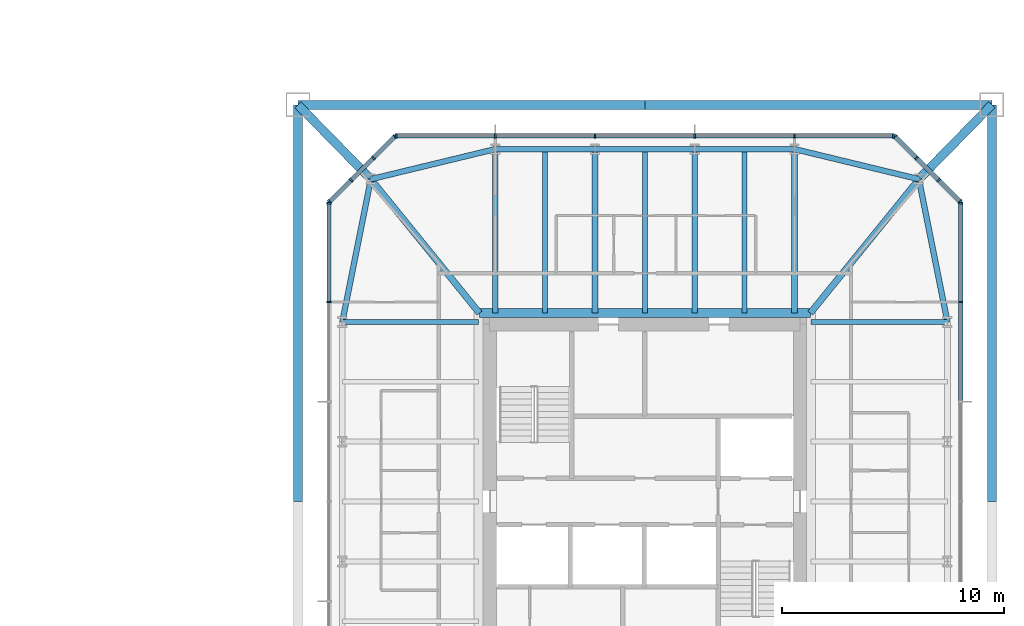
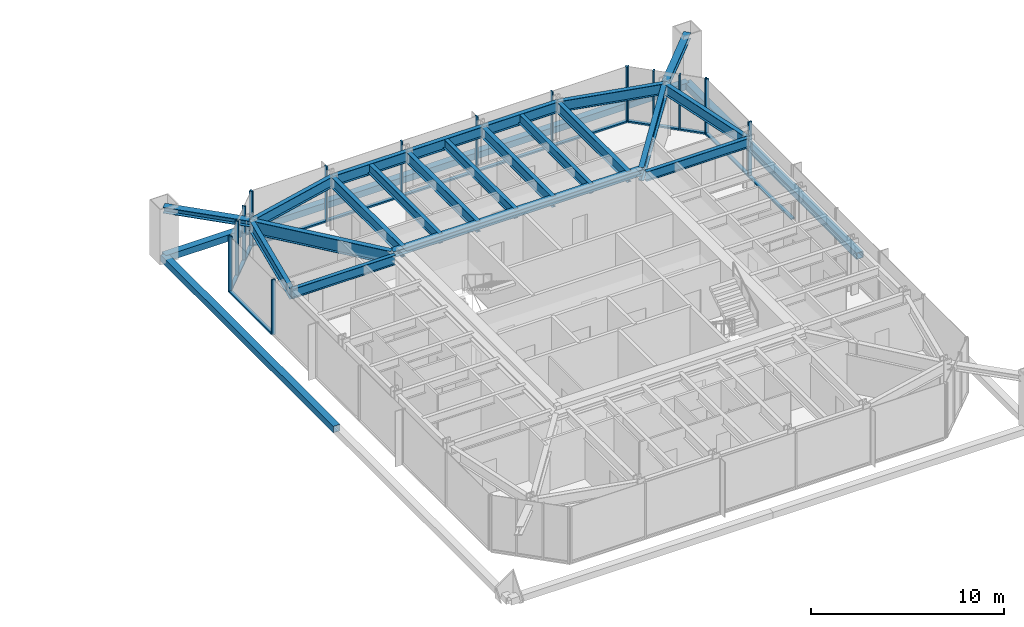
# One storey, part 11 of 26: 38 members, 19 beams, 5 elements without a shape of their own.
"""IFC4 building model written with IfcOpenShell, lengths in metres."""

from ifc_helpers import new_model, si_unit, direction, frame, origin, origin_2d, place, context, subcontext, project, spatial, rectangle, hollow_rectangle, i_section, extrude, material, material_profile, profile_set, type_object, element, aggregate, save


model = new_model("IFC4")

# Units and contexts
model_context = context("Model", 3, precision=1e-05, world=origin(), true_north=direction((0.0, 1.0)))
body_context = subcontext(model_context, "Body", "Model", "MODEL_VIEW")
ifc_project = project(units=[si_unit("LENGTHUNIT", "METRE"), si_unit("AREAUNIT", "SQUARE_METRE"), si_unit("VOLUMEUNIT", "CUBIC_METRE"), si_unit("PLANEANGLEUNIT", "RADIAN"), si_unit("MASSUNIT", "GRAM", prefix="KILO")], contexts=[model_context])

# Site, building, storey
site_placement = place(None, origin())
site = spatial("IfcSite", under=ifc_project, at=site_placement, CompositionType="ELEMENT")
building_placement = place(site_placement, origin())
building = spatial("IfcBuilding", under=site, at=building_placement, Name="Iwan Alto Co-Living Towers", CompositionType="ELEMENT")
storey_placement = place(building_placement, frame((0.0, 0.0, 115.5)))
storey = spatial("IfcBuildingStorey", under=building, at=storey_placement, Name="L31", CompositionType="ELEMENT", Elevation=115.5)

# Curtain wall, members
ifc_material_1 = material(Name="Bronze aluminium unitised frame", Category="aluminium")
curtain_wall_type_1 = type_object("IfcCurtainWallType", Name="CURTAIN WALL CW-C", PredefinedType="NOTDEFINED", material=ifc_material_1)
curtain_wall_1_placement = place(storey_placement, origin())
curtain_wall_1 = element("IfcCurtainWall", 1, at=curtain_wall_1_placement, inside=storey, type_object=curtain_wall_type_1, Name="T2 curtain wall E L31", PredefinedType="NOTDEFINED")
ifc_material_2 = material(Name="Aluminium 6063-T6 bronze anodised", Category="aluminium")
ifc_material_profile_1 = material_profile(ifc_material_2, rectangle(XDim=0.199951171875, YDim=0.080078125, at=origin_2d()), Name="AL 80X200")
ifc_profile_set_1 = profile_set([ifc_material_profile_1], Name="Aluminium 6063-T6 bronze anodised")
member_type_1 = type_object("IfcMemberType", Name="CW-C MULLION 80X200", PredefinedType="MULLION", material=ifc_profile_set_1)
member_1_placement = place(storey_placement, frame((77.25, 9.0, 0.0), z_axis=(0.0, 0.0, 1.0), x_axis=(-1.0, 0.0, 0.0)))
member_1 = element("IfcMember", 2, at=member_1_placement, type_object=member_type_1, Name="CW-C mullion 6", PredefinedType="MULLION", context=body_context, shape_type="SweptSolid", body=[
    extrude(rectangle(XDim=0.199951171875, YDim=0.080078125, at=origin_2d()), origin(), (0.0, 0.0, 1.0), 3.5),
])
member_2_placement = place(storey_placement, frame((77.25, 13.4599609375, 0.0), z_axis=(0.0, 0.0, 1.0), x_axis=(-1.0, 0.0, 0.0)))
member_2 = element("IfcMember", 3, at=member_2_placement, type_object=member_type_1, Name="CW-C mullion 7", PredefinedType="MULLION", context=body_context, shape_type="SweptSolid", body=[
    extrude(rectangle(XDim=0.199951171875, YDim=0.080078125, at=origin_2d()), origin(), (0.0, 0.0, 1.0), 3.5),
])

curtain_wall_2_placement = place(storey_placement, origin())
curtain_wall_2 = element("IfcCurtainWall", 4, at=curtain_wall_2_placement, inside=storey, type_object=curtain_wall_type_1, Name="T2 curtain wall N L31", PredefinedType="NOTDEFINED")
member_3_placement = place(storey_placement, frame((74.2099609375, 16.5, 0.0), z_axis=(0.0, 0.0, 1.0), x_axis=(0.0, -1.0, 0.0)))
member_3 = element("IfcMember", 5, at=member_3_placement, type_object=member_type_1, Name="CW-C mullion 1", PredefinedType="MULLION", context=body_context, shape_type="SweptSolid", body=[
    extrude(rectangle(XDim=0.199951171875, YDim=0.080078125, at=origin_2d()), origin(), (0.0, 0.0, 1.0), 3.5),
])
member_4_placement = place(storey_placement, frame((69.75, 16.5, 0.0), z_axis=(0.0, 0.0, 1.0), x_axis=(0.0, -1.0, 0.0)))
member_4 = element("IfcMember", 6, at=member_4_placement, type_object=member_type_1, Name="CW-C mullion 2", PredefinedType="MULLION", context=body_context, shape_type="SweptSolid", body=[
    extrude(rectangle(XDim=0.199951171875, YDim=0.080078125, at=origin_2d()), origin(), (0.0, 0.0, 1.0), 3.5),
])
member_5_placement = place(storey_placement, frame((65.25, 16.5, 0.0), z_axis=(0.0, 0.0, 1.0), x_axis=(0.0, -1.0, 0.0)))
member_5 = element("IfcMember", 7, at=member_5_placement, type_object=member_type_1, Name="CW-C mullion 3", PredefinedType="MULLION", context=body_context, shape_type="SweptSolid", body=[
    extrude(rectangle(XDim=0.199951171875, YDim=0.080078125, at=origin_2d()), origin(), (0.0, 0.0, 1.0), 3.5),
])
member_6_placement = place(storey_placement, frame((60.75, 16.5, 0.0), z_axis=(0.0, 0.0, 1.0), x_axis=(0.0, -1.0, 0.0)))
member_6 = element("IfcMember", 8, at=member_6_placement, type_object=member_type_1, Name="CW-C mullion 4", PredefinedType="MULLION", context=body_context, shape_type="SweptSolid", body=[
    extrude(rectangle(XDim=0.199951171875, YDim=0.080078125, at=origin_2d()), origin(), (0.0, 0.0, 1.0), 3.5),
])
member_7_placement = place(storey_placement, frame((56.25, 16.5, 0.0), z_axis=(0.0, 0.0, 1.0), x_axis=(0.0, -1.0, 0.0)))
member_7 = element("IfcMember", 9, at=member_7_placement, type_object=member_type_1, Name="CW-C mullion 5", PredefinedType="MULLION", context=body_context, shape_type="SweptSolid", body=[
    extrude(rectangle(XDim=0.199951171875, YDim=0.080078125, at=origin_2d()), origin(), (0.0, 0.0, 1.0), 3.5),
])
member_8_placement = place(storey_placement, frame((51.7900390625, 16.5, 0.0), z_axis=(0.0, 0.0, 1.0), x_axis=(0.0, -1.0, 0.0)))
member_8 = element("IfcMember", 10, at=member_8_placement, type_object=member_type_1, Name="CW-C mullion 6", PredefinedType="MULLION", context=body_context, shape_type="SweptSolid", body=[
    extrude(rectangle(XDim=0.199951171875, YDim=0.080078125, at=origin_2d()), origin(), (0.0, 0.0, 1.0), 3.5),
])

curtain_wall_3_placement = place(storey_placement, origin())
curtain_wall_3 = element("IfcCurtainWall", 11, at=curtain_wall_3_placement, inside=storey, type_object=curtain_wall_type_1, Name="T2 curtain wall W L31", PredefinedType="NOTDEFINED")
member_9_placement = place(storey_placement, frame((48.75, 13.4599609375, 0.0), z_axis=(0.0, 0.0, 1.0), x_axis=(1.0, 0.0, 0.0)))
member_9 = element("IfcMember", 12, at=member_9_placement, type_object=member_type_1, Name="CW-C mullion 1", PredefinedType="MULLION", context=body_context, shape_type="SweptSolid", body=[
    extrude(rectangle(XDim=0.199951171875, YDim=0.080078125, at=origin_2d()), origin(), (0.0, 0.0, 1.0), 3.5),
])
member_10_placement = place(storey_placement, frame((48.75, 9.0, 0.0), z_axis=(0.0, 0.0, 1.0), x_axis=(1.0, 0.0, 0.0)))
member_10 = element("IfcMember", 13, at=member_10_placement, type_object=member_type_1, Name="CW-C mullion 2", PredefinedType="MULLION", context=body_context, shape_type="SweptSolid", body=[
    extrude(rectangle(XDim=0.199951171875, YDim=0.080078125, at=origin_2d()), origin(), (0.0, 0.0, 1.0), 3.5),
])

# Member
ifc_material_3 = material(Name="Aluminium 6063-T6 bronze anodised", Category="aluminium")
ifc_material_profile_2 = material_profile(ifc_material_3, rectangle(XDim=0.199951171875, YDim=0.10009765625, at=origin_2d()), Name="AL 200X100")
ifc_profile_set_2 = profile_set([ifc_material_profile_2], Name="Aluminium 6063-T6 bronze anodised")
member_type_2 = type_object("IfcMemberType", Name="CW-C TRANSOM 200X100", PredefinedType="USERDEFINED", material=ifc_profile_set_2)
member_11_placement = place(storey_placement, frame((77.25, 4.5400390625, 0.050048828125), z_axis=(0.0, 1.0, 0.0), x_axis=(-1.0, 0.0, 0.0)))
member_11 = element("IfcMember", 14, at=member_11_placement, type_object=member_type_2, Name="CW-C transom 5.1", ObjectType="TRANSOM", PredefinedType="USERDEFINED", context=body_context, shape_type="SweptSolid", body=[
    extrude(rectangle(XDim=0.199951171875, YDim=0.10009765625, at=origin_2d()), origin(), (0.0, 0.0, 1.0), 4.419921875),
])

member_12_placement = place(storey_placement, frame((77.25, 9.0400390625, 0.050048828125), z_axis=(0.0, 1.0, 0.0), x_axis=(-1.0, 0.0, 0.0)))
member_12 = element("IfcMember", 15, at=member_12_placement, type_object=member_type_2, Name="CW-C transom 6.1", ObjectType="TRANSOM", PredefinedType="USERDEFINED", context=body_context, shape_type="SweptSolid", body=[
    extrude(rectangle(XDim=0.199951171875, YDim=0.10009765625, at=origin_2d()), origin(), (0.0, 0.0, 1.0), 4.3798828125),
])

aggregate(curtain_wall_1, [member_1, member_2, member_11, member_12])

member_13_placement = place(storey_placement, frame((74.169921875, 16.5, 0.050048828125), z_axis=(-1.0, 0.0, 0.0), x_axis=(0.0, -1.0, 0.0)))
member_13 = element("IfcMember", 16, at=member_13_placement, type_object=member_type_2, Name="CW-C transom 1.1", ObjectType="TRANSOM", PredefinedType="USERDEFINED", context=body_context, shape_type="SweptSolid", body=[
    extrude(rectangle(XDim=0.199951171875, YDim=0.10009765625, at=origin_2d()), origin(), (0.0, 0.0, 1.0), 4.3798828125),
])

member_14_placement = place(storey_placement, frame((69.7099609375, 16.5, 0.050048828125), z_axis=(-1.0, 0.0, 0.0), x_axis=(0.0, -1.0, 0.0)))
member_14 = element("IfcMember", 17, at=member_14_placement, type_object=member_type_2, Name="CW-C transom 2.1", ObjectType="TRANSOM", PredefinedType="USERDEFINED", context=body_context, shape_type="SweptSolid", body=[
    extrude(rectangle(XDim=0.199951171875, YDim=0.10009765625, at=origin_2d()), origin(), (0.0, 0.0, 1.0), 4.419921875),
])

member_15_placement = place(storey_placement, frame((65.2099609375, 16.5, 0.050048828125), z_axis=(-1.0, 0.0, 0.0), x_axis=(0.0, -1.0, 0.0)))
member_15 = element("IfcMember", 18, at=member_15_placement, type_object=member_type_2, Name="CW-C transom 3.1", ObjectType="TRANSOM", PredefinedType="USERDEFINED", context=body_context, shape_type="SweptSolid", body=[
    extrude(rectangle(XDim=0.199951171875, YDim=0.10009765625, at=origin_2d()), origin(), (0.0, 0.0, 1.0), 4.419921875),
])

member_16_placement = place(storey_placement, frame((60.7099609375, 16.5, 0.050048828125), z_axis=(-1.0, 0.0, 0.0), x_axis=(0.0, -1.0, 0.0)))
member_16 = element("IfcMember", 19, at=member_16_placement, type_object=member_type_2, Name="CW-C transom 4.1", ObjectType="TRANSOM", PredefinedType="USERDEFINED", context=body_context, shape_type="SweptSolid", body=[
    extrude(rectangle(XDim=0.199951171875, YDim=0.10009765625, at=origin_2d()), origin(), (0.0, 0.0, 1.0), 4.419921875),
])

member_17_placement = place(storey_placement, frame((56.2099609375, 16.5, 0.050048828125), z_axis=(-1.0, 0.0, 0.0), x_axis=(0.0, -1.0, 0.0)))
member_17 = element("IfcMember", 20, at=member_17_placement, type_object=member_type_2, Name="CW-C transom 5.1", ObjectType="TRANSOM", PredefinedType="USERDEFINED", context=body_context, shape_type="SweptSolid", body=[
    extrude(rectangle(XDim=0.199951171875, YDim=0.10009765625, at=origin_2d()), origin(), (0.0, 0.0, 1.0), 4.3798828125),
])

aggregate(curtain_wall_2, [member_3, member_4, member_5, member_6, member_7, member_8, member_13, member_14, member_15, member_16, member_17])

member_18_placement = place(storey_placement, frame((48.75, 13.419921875, 0.050048828125), z_axis=(0.0, -1.0, 0.0), x_axis=(1.0, 0.0, 0.0)))
member_18 = element("IfcMember", 21, at=member_18_placement, type_object=member_type_2, Name="CW-C transom 1.1", ObjectType="TRANSOM", PredefinedType="USERDEFINED", context=body_context, shape_type="SweptSolid", body=[
    extrude(rectangle(XDim=0.199951171875, YDim=0.10009765625, at=origin_2d()), origin(), (0.0, 0.0, 1.0), 4.3798828125),
])

aggregate(curtain_wall_3, [member_9, member_10, member_18])

# Curtain wall, members
ifc_material_4 = material(Name="Bronze aluminium unitised frame", Category="aluminium")
curtain_wall_type_2 = type_object("IfcCurtainWallType", Name="CURTAIN WALL CW-D", PredefinedType="NOTDEFINED", material=ifc_material_4)
curtain_wall_4_placement = place(storey_placement, origin())
curtain_wall_4 = element("IfcCurtainWall", 22, at=curtain_wall_4_placement, inside=storey, type_object=curtain_wall_type_2, Name="T2 chamfer curtain wall NE L31", PredefinedType="NOTDEFINED")
ifc_material_5 = material(Name="Aluminium 6063-T6 bronze anodised", Category="aluminium")
ifc_material_profile_3 = material_profile(ifc_material_5, rectangle(XDim=0.199951171875, YDim=0.080078125, at=origin_2d()), Name="AL 80X200")
ifc_profile_set_3 = profile_set([ifc_material_profile_3], Name="Aluminium 6063-T6 bronze anodised")
member_type_3 = type_object("IfcMemberType", Name="CW-D MULLION 80X200", PredefinedType="MULLION", material=ifc_profile_set_3)
member_19_placement = place(storey_placement, frame((77.2216796875, 13.5283203125, 0.0), z_axis=(0.0, 0.0, 1.0), x_axis=(-0.707106781187, -0.707106781187, 0.0)))
member_19 = element("IfcMember", 23, at=member_19_placement, type_object=member_type_3, Name="CW-D mullion 1", PredefinedType="MULLION", context=body_context, shape_type="SweptSolid", body=[
    extrude(rectangle(XDim=0.199951171875, YDim=0.080078125, at=origin_2d()), origin(), (0.0, 0.0, 1.0), 3.5),
])
member_20_placement = place(storey_placement, frame((76.25, 14.5, 0.0), z_axis=(0.0, 0.0, 1.0), x_axis=(-0.707106781187, -0.707106781187, 0.0)))
member_20 = element("IfcMember", 24, at=member_20_placement, type_object=member_type_3, Name="CW-D mullion 2", PredefinedType="MULLION", context=body_context, shape_type="SweptSolid", body=[
    extrude(rectangle(XDim=0.199951171875, YDim=0.080078125, at=origin_2d()), origin(), (0.0, 0.0, 1.0), 3.5),
])
member_21_placement = place(storey_placement, frame((75.25, 15.5, 0.0), z_axis=(0.0, 0.0, 1.0), x_axis=(-0.707106781187, -0.707106781187, 0.0)))
member_21 = element("IfcMember", 25, at=member_21_placement, type_object=member_type_3, Name="CW-D mullion 3", PredefinedType="MULLION", context=body_context, shape_type="SweptSolid", body=[
    extrude(rectangle(XDim=0.199951171875, YDim=0.080078125, at=origin_2d()), origin(), (0.0, 0.0, 1.0), 3.5),
])
member_22_placement = place(storey_placement, frame((74.2783203125, 16.4716796875, 0.0), z_axis=(0.0, 0.0, 1.0), x_axis=(-0.707106781187, -0.707106781187, 0.0)))
member_22 = element("IfcMember", 26, at=member_22_placement, type_object=member_type_3, Name="CW-D mullion 4", PredefinedType="MULLION", context=body_context, shape_type="SweptSolid", body=[
    extrude(rectangle(XDim=0.199951171875, YDim=0.080078125, at=origin_2d()), origin(), (0.0, 0.0, 1.0), 3.5),
])

curtain_wall_5_placement = place(storey_placement, origin())
curtain_wall_5 = element("IfcCurtainWall", 27, at=curtain_wall_5_placement, inside=storey, type_object=curtain_wall_type_2, Name="T2 chamfer curtain wall NW L31", PredefinedType="NOTDEFINED")
member_23_placement = place(storey_placement, frame((51.7216796875, 16.4716796875, 0.0), z_axis=(0.0, 0.0, 1.0), x_axis=(0.707106781187, -0.707106781187, 0.0)))
member_23 = element("IfcMember", 28, at=member_23_placement, type_object=member_type_3, Name="CW-D mullion 1", PredefinedType="MULLION", context=body_context, shape_type="SweptSolid", body=[
    extrude(rectangle(XDim=0.199951171875, YDim=0.080078125, at=origin_2d()), origin(), (0.0, 0.0, 1.0), 3.5),
])
member_24_placement = place(storey_placement, frame((50.75, 15.5, 0.0), z_axis=(0.0, 0.0, 1.0), x_axis=(0.707106781187, -0.707106781187, 0.0)))
member_24 = element("IfcMember", 29, at=member_24_placement, type_object=member_type_3, Name="CW-D mullion 2", PredefinedType="MULLION", context=body_context, shape_type="SweptSolid", body=[
    extrude(rectangle(XDim=0.199951171875, YDim=0.080078125, at=origin_2d()), origin(), (0.0, 0.0, 1.0), 3.5),
])
member_25_placement = place(storey_placement, frame((49.75, 14.5, 0.0), z_axis=(0.0, 0.0, 1.0), x_axis=(0.707106781187, -0.707106781187, 0.0)))
member_25 = element("IfcMember", 30, at=member_25_placement, type_object=member_type_3, Name="CW-D mullion 3", PredefinedType="MULLION", context=body_context, shape_type="SweptSolid", body=[
    extrude(rectangle(XDim=0.199951171875, YDim=0.080078125, at=origin_2d()), origin(), (0.0, 0.0, 1.0), 3.5),
])
member_26_placement = place(storey_placement, frame((48.7783203125, 13.5283203125, 0.0), z_axis=(0.0, 0.0, 1.0), x_axis=(0.707106781187, -0.707106781187, 0.0)))
member_26 = element("IfcMember", 31, at=member_26_placement, type_object=member_type_3, Name="CW-D mullion 4", PredefinedType="MULLION", context=body_context, shape_type="SweptSolid", body=[
    extrude(rectangle(XDim=0.199951171875, YDim=0.080078125, at=origin_2d()), origin(), (0.0, 0.0, 1.0), 3.5),
])

# Member
ifc_material_6 = material(Name="Aluminium 6063-T6 bronze anodised", Category="aluminium")
ifc_material_profile_4 = material_profile(ifc_material_6, rectangle(XDim=0.199951171875, YDim=0.10009765625, at=origin_2d()), Name="AL 200X100")
ifc_profile_set_4 = profile_set([ifc_material_profile_4], Name="Aluminium 6063-T6 bronze anodised")
member_type_4 = type_object("IfcMemberType", Name="CW-D TRANSOM 200X100", PredefinedType="USERDEFINED", material=ifc_profile_set_4)
member_27_placement = place(storey_placement, frame((77.193359375, 13.556640625, 0.050048828125), z_axis=(-0.707106781187, 0.707106781187, 0.0), x_axis=(-0.707106781187, -0.707106781187, 0.0)))
member_27 = element("IfcMember", 32, at=member_27_placement, type_object=member_type_4, Name="CW-D transom 1.1", ObjectType="TRANSOM", PredefinedType="USERDEFINED", context=body_context, shape_type="SweptSolid", body=[
    extrude(rectangle(XDim=0.199951171875, YDim=0.10009765625, at=origin_2d()), origin(), (0.0, 0.0, 1.0), 1.2939453125),
])

member_28_placement = place(storey_placement, frame((76.2216796875, 14.5283203125, 0.050048828125), z_axis=(-0.707106781187, 0.707106781187, 0.0), x_axis=(-0.707106781187, -0.707106781187, 0.0)))
member_28 = element("IfcMember", 33, at=member_28_placement, type_object=member_type_4, Name="CW-D transom 2.1", ObjectType="TRANSOM", PredefinedType="USERDEFINED", context=body_context, shape_type="SweptSolid", body=[
    extrude(rectangle(XDim=0.199951171875, YDim=0.10009765625, at=origin_2d()), origin(), (0.0, 0.0, 1.0), 1.334228515625),
])

member_29_placement = place(storey_placement, frame((75.2216796875, 15.5283203125, 0.050048828125), z_axis=(-0.707106781187, 0.707106781187, 0.0), x_axis=(-0.707106781187, -0.707106781187, 0.0)))
member_29 = element("IfcMember", 34, at=member_29_placement, type_object=member_type_4, Name="CW-D transom 3.1", ObjectType="TRANSOM", PredefinedType="USERDEFINED", context=body_context, shape_type="SweptSolid", body=[
    extrude(rectangle(XDim=0.199951171875, YDim=0.10009765625, at=origin_2d()), origin(), (0.0, 0.0, 1.0), 1.2939453125),
])

aggregate(curtain_wall_4, [member_19, member_20, member_21, member_22, member_27, member_28, member_29])

member_30_placement = place(storey_placement, frame((51.693359375, 16.443359375, 0.050048828125), z_axis=(-0.707106781187, -0.707106781187, 0.0), x_axis=(0.707106781187, -0.707106781187, 0.0)))
member_30 = element("IfcMember", 35, at=member_30_placement, type_object=member_type_4, Name="CW-D transom 1.1", ObjectType="TRANSOM", PredefinedType="USERDEFINED", context=body_context, shape_type="SweptSolid", body=[
    extrude(rectangle(XDim=0.199951171875, YDim=0.10009765625, at=origin_2d()), origin(), (0.0, 0.0, 1.0), 1.2939453125),
])

member_31_placement = place(storey_placement, frame((50.7216796875, 15.4716796875, 0.050048828125), z_axis=(-0.707106781187, -0.707106781187, 0.0), x_axis=(0.707106781187, -0.707106781187, 0.0)))
member_31 = element("IfcMember", 36, at=member_31_placement, type_object=member_type_4, Name="CW-D transom 2.1", ObjectType="TRANSOM", PredefinedType="USERDEFINED", context=body_context, shape_type="SweptSolid", body=[
    extrude(rectangle(XDim=0.199951171875, YDim=0.10009765625, at=origin_2d()), origin(), (0.0, 0.0, 1.0), 1.334228515625),
])

member_32_placement = place(storey_placement, frame((49.7216796875, 14.4716796875, 0.050048828125), z_axis=(-0.707106781187, -0.707106781187, 0.0), x_axis=(0.707106781187, -0.707106781187, 0.0)))
member_32 = element("IfcMember", 37, at=member_32_placement, type_object=member_type_4, Name="CW-D transom 3.1", ObjectType="TRANSOM", PredefinedType="USERDEFINED", context=body_context, shape_type="SweptSolid", body=[
    extrude(rectangle(XDim=0.199951171875, YDim=0.10009765625, at=origin_2d()), origin(), (0.0, 0.0, 1.0), 1.2939453125),
])

aggregate(curtain_wall_5, [member_23, member_24, member_25, member_26, member_30, member_31, member_32])

# Beams
ifc_material_7 = material(Name="Steel ASTM A992 Gr 50", Category="steel")
ifc_material_profile_5 = material_profile(ifc_material_7, i_section(OverallWidth=0.398681640625, OverallDepth=0.385986328125, WebThickness=0.02099609375, FlangeThickness=0.033203125, at=origin_2d()), Name="W14X176")
ifc_profile_set_5 = profile_set([ifc_material_profile_5], Name="Steel ASTM A992 Gr 50")
beam_type_1 = type_object("IfcBeamType", Name="T2 CORE LEDGER BEAM W14X176", PredefinedType="BEAM", material=ifc_profile_set_5)
beam_1_placement = place(storey_placement, frame((70.461669921875, 8.49951171875, 3.076904296875), z_axis=(-1.0, 0.0, 0.0), x_axis=(0.0, -1.0, 0.0)))
element("IfcBeam", 38, at=beam_1_placement, inside=storey, type_object=beam_type_1, Name="T2 core ledger beam N L32", PredefinedType="BEAM", context=body_context, shape_type="SweptSolid", body=[
    extrude(i_section(OverallWidth=0.398681640625, OverallDepth=0.385986328125, WebThickness=0.02099609375, FlangeThickness=0.033203125, at=origin_2d()), origin(), (0.0, 0.0, 1.0), 14.92333984375),
])
ifc_material_8 = material(Name="Steel ASTM A992 Gr 50", Category="steel")
ifc_material_profile_6 = material_profile(ifc_material_8, i_section(OverallWidth=0.2919921875, OverallDepth=0.8408203125, WebThickness=0.0146484375, FlangeThickness=0.021728515625, at=origin_2d()), Name="W33X130")
ifc_profile_set_6 = profile_set([ifc_material_profile_6], Name="Steel ASTM A992 Gr 50")
beam_type_2 = type_object("IfcBeamType", Name="T2 CORNER GIRDER W33X130", PredefinedType="BEAM", material=ifc_profile_set_6)
for number, where, z_axis, x_axis, name in (
    (39, (75.361328125, 14.542724609375, 2.849609375), (-0.629783024592, -0.776771100091, 0.0), (0.776771100091, -0.629783024592, 0.0), "T2 corner girder CNE L32"),
    (40, (50.638671875, 14.542724609375, 2.849609375), (0.629783024592, -0.776771100091, 0.0), (0.776771100091, 0.629783024592, 0.0), "T2 corner girder CNW L32"),
):
    element("IfcBeam", number, at=place(storey_placement, frame(where, z_axis=z_axis, x_axis=x_axis)), inside=storey, type_object=beam_type_2, Name=name, PredefinedType="BEAM", context=body_context, shape_type="SweptSolid", body=[
        extrude(i_section(OverallWidth=0.2919921875, OverallDepth=0.8408203125, WebThickness=0.0146484375, FlangeThickness=0.021728515625, at=origin_2d()), origin(), (0.0, 0.0, 1.0), 7.780029296875),
    ])
ifc_material_9 = material(Name="Steel ASTM A992 Gr 50", Category="steel")
ifc_material_profile_7 = material_profile(ifc_material_9, i_section(OverallWidth=0.25390625, OverallDepth=0.683349609375, WebThickness=0.012451171875, FlangeThickness=0.018798828125, at=origin_2d()), Name="W27X94")
ifc_profile_set_7 = profile_set([ifc_material_profile_7], Name="Steel ASTM A992 Gr 50")
beam_type_3 = type_object("IfcBeamType", Name="T2 EDGE BEAM W27X94", PredefinedType="BEAM", material=ifc_profile_set_7)
beam_2_placement = place(storey_placement, frame((76.64990234375, 8.10009765625, 2.928466796875), z_axis=(-0.196123281025, 0.980579246487, 0.0), x_axis=(-0.980579246487, -0.196123281025, 0.0)))
element("IfcBeam", 41, at=beam_2_placement, inside=storey, type_object=beam_type_3, Name="T2 edge beam E4 L32", PredefinedType="BEAM", context=body_context, shape_type="SweptSolid", body=[
    extrude(i_section(OverallWidth=0.25390625, OverallDepth=0.683349609375, WebThickness=0.012451171875, FlangeThickness=0.018798828125, at=origin_2d()), origin(), (0.0, 0.0, 1.0), 6.5703125),
])
beam_3_placement = place(storey_placement, frame((75.361328125, 14.542724609375, 2.928466796875), z_axis=(-0.971974673138, 0.235085590323, 0.0), x_axis=(-0.235085590323, -0.971974673138, 0.0)))
element("IfcBeam", 42, at=beam_3_placement, inside=storey, type_object=beam_type_3, Name="T2 edge beam CNE L32", PredefinedType="BEAM", context=body_context, shape_type="SweptSolid", body=[
    extrude(i_section(OverallWidth=0.25390625, OverallDepth=0.683349609375, WebThickness=0.012451171875, FlangeThickness=0.018798828125, at=origin_2d()), origin(), (0.0, 0.0, 1.0), 5.773193359375),
])
for number, where, z_axis, x_axis, name in (
    (43, (69.75, 15.89990234375, 2.928466796875), (-1.0, 0.0, 0.0), (0.0, -1.0, 0.0), "T2 edge beam N1 L32"),
    (44, (65.25, 15.89990234375, 2.928466796875), (-1.0, 0.0, 0.0), (0.0, -1.0, 0.0), "T2 edge beam N2 L32"),
    (45, (60.75, 15.89990234375, 2.928466796875), (-1.0, 0.0, 0.0), (0.0, -1.0, 0.0), "T2 edge beam N3 L32"),
):
    element("IfcBeam", number, at=place(storey_placement, frame(where, z_axis=z_axis, x_axis=x_axis)), inside=storey, type_object=beam_type_3, Name=name, PredefinedType="BEAM", context=body_context, shape_type="SweptSolid", body=[
        extrude(i_section(OverallWidth=0.25390625, OverallDepth=0.683349609375, WebThickness=0.012451171875, FlangeThickness=0.018798828125, at=origin_2d()), origin(), (0.0, 0.0, 1.0), 4.5),
    ])
beam_4_placement = place(storey_placement, frame((56.25, 15.89990234375, 2.928466796875), z_axis=(-0.971974673138, -0.235085590323, 0.0), x_axis=(0.235085590323, -0.971974673138, 0.0)))
element("IfcBeam", 46, at=beam_4_placement, inside=storey, type_object=beam_type_3, Name="T2 edge beam N4 L32", PredefinedType="BEAM", context=body_context, shape_type="SweptSolid", body=[
    extrude(i_section(OverallWidth=0.25390625, OverallDepth=0.683349609375, WebThickness=0.012451171875, FlangeThickness=0.018798828125, at=origin_2d()), origin(), (0.0, 0.0, 1.0), 5.773193359375),
])
beam_5_placement = place(storey_placement, frame((50.638671875, 14.542724609375, 2.928466796875), z_axis=(-0.196123281025, -0.980579246487, 0.0), x_axis=(0.980579246487, -0.196123281025, 0.0)))
element("IfcBeam", 47, at=beam_5_placement, inside=storey, type_object=beam_type_3, Name="T2 edge beam CNW L32", PredefinedType="BEAM", context=body_context, shape_type="SweptSolid", body=[
    extrude(i_section(OverallWidth=0.25390625, OverallDepth=0.683349609375, WebThickness=0.012451171875, FlangeThickness=0.018798828125, at=origin_2d()), origin(), (0.0, 0.0, 1.0), 6.5703125),
])

# Members
ifc_material_10 = material(Name="Steel ASTM A992 Gr 50", Category="steel")
ifc_material_profile_8 = material_profile(ifc_material_10, i_section(OverallWidth=0.393798828125, OverallDepth=0.3759765625, WebThickness=0.017333984375, FlangeThickness=0.027587890625, at=origin_2d()), Name="W14X145")
ifc_profile_set_8 = profile_set([ifc_material_profile_8], Name="Steel ASTM A992 Gr 50")
member_type_5 = type_object("IfcMemberType", Name="T2 MEGA COLUMN FLOOR TIE W14X145", PredefinedType="STRUT", material=ifc_profile_set_8)
for number, where, z_axis, x_axis, name in (
    (48, (78.64990234375, 17.89990234375, 3.08203125), (-0.699770096147, -0.714368121166, 0.0), (0.714368121166, -0.699770096147, 0.0), "T2 mega column floor tie NE L32"),
    (49, (47.35009765625, 17.89990234375, 3.08203125), (0.699770096147, -0.714368121166, 0.0), (0.714368121166, 0.699770096147, 0.0), "T2 mega column floor tie NW L32"),
):
    element("IfcMember", number, at=place(storey_placement, frame(where, z_axis=z_axis, x_axis=x_axis)), inside=storey, type_object=member_type_5, Name=name, PredefinedType="STRUT", context=body_context, shape_type="SweptSolid", body=[
        extrude(i_section(OverallWidth=0.393798828125, OverallDepth=0.3759765625, WebThickness=0.017333984375, FlangeThickness=0.027587890625, at=origin_2d()), origin(), (0.0, 0.0, 1.0), 4.699462890625),
    ])
ifc_material_11 = material(Name="Steel ASTM A500 Gr C", Category="steel")
ifc_material_profile_9 = material_profile(ifc_material_11, hollow_rectangle(XDim=0.406494140625, YDim=0.406494140625, WallThickness=0.0146484375, at=origin_2d()), Name="HSS16X16X5/8")
ifc_profile_set_9 = profile_set([ifc_material_profile_9], Name="Steel ASTM A500 Gr C")
member_type_6 = type_object("IfcMemberType", Name="T2 MEGA TIE HSS16X16X5/8", PredefinedType="STRUT", material=ifc_profile_set_9)
member_33_placement = place(storey_placement, frame((78.64990234375, 0.0, 0.0), z_axis=(0.0, 1.0, 0.0), x_axis=(-1.0, 0.0, 0.0)))
element("IfcMember", 50, at=member_33_placement, inside=storey, type_object=member_type_6, Name="T2 mega tie Z2B E 2", PredefinedType="STRUT", context=body_context, shape_type="SweptSolid", body=[
    extrude(hollow_rectangle(XDim=0.406494140625, YDim=0.406494140625, WallThickness=0.0146484375, at=origin_2d()), origin(), (0.0, 0.0, 1.0), 17.89990234375),
])
for number, where, z_axis, x_axis, name in (
    (51, (78.64990234375, 17.89990234375, 0.0), (-1.0, 0.0, 0.0), (0.0, -1.0, 0.0), "T2 mega tie Z2B N 1"),
    (52, (63.0, 17.89990234375, 0.0), (-1.0, 0.0, 0.0), (0.0, -1.0, 0.0), "T2 mega tie Z2B N 2"),
):
    element("IfcMember", number, at=place(storey_placement, frame(where, z_axis=z_axis, x_axis=x_axis)), inside=storey, type_object=member_type_6, Name=name, PredefinedType="STRUT", context=body_context, shape_type="SweptSolid", body=[
        extrude(hollow_rectangle(XDim=0.406494140625, YDim=0.406494140625, WallThickness=0.0146484375, at=origin_2d()), origin(), (0.0, 0.0, 1.0), 15.64990234375),
    ])
member_34_placement = place(storey_placement, frame((47.35009765625, 17.89990234375, 0.0), z_axis=(0.0, -1.0, 0.0), x_axis=(1.0, 0.0, 0.0)))
element("IfcMember", 53, at=member_34_placement, inside=storey, type_object=member_type_6, Name="T2 mega tie Z2B W 1", PredefinedType="STRUT", context=body_context, shape_type="SweptSolid", body=[
    extrude(hollow_rectangle(XDim=0.406494140625, YDim=0.406494140625, WallThickness=0.0146484375, at=origin_2d()), origin(), (0.0, 0.0, 1.0), 17.89990234375),
])

# Beams
ifc_material_12 = material(Name="Steel ASTM A992 Gr 50", Category="steel")
ifc_material_profile_10 = material_profile(ifc_material_12, i_section(OverallWidth=0.228271484375, OverallDepth=0.607177734375, WebThickness=0.01123046875, FlangeThickness=0.017333984375, at=origin_2d()), Name="W24X76")
ifc_profile_set_10 = profile_set([ifc_material_profile_10], Name="Steel ASTM A992 Gr 50")
beam_type_4 = type_object("IfcBeamType", Name="T2 RADIAL BEAM W24X76", PredefinedType="BEAM", material=ifc_profile_set_10)
for number, where, z_axis, x_axis, name in (
    (54, (76.64990234375, 8.10009765625, 2.966552734375), (-1.0, 0.0, 0.0), (0.0, -1.0, 0.0), "T2 radial beam E4 L32"),
    (55, (49.35009765625, 8.10009765625, 2.966552734375), (1.0, 0.0, 0.0), (0.0, 1.0, 0.0), "T2 radial beam W1 L32"),
):
    element("IfcBeam", number, at=place(storey_placement, frame(where, z_axis=z_axis, x_axis=x_axis)), inside=storey, type_object=beam_type_4, Name=name, PredefinedType="BEAM", context=body_context, shape_type="SweptSolid", body=[
        extrude(i_section(OverallWidth=0.228271484375, OverallDepth=0.607177734375, WebThickness=0.01123046875, FlangeThickness=0.017333984375, at=origin_2d()), origin(), (0.0, 0.0, 1.0), 6.150390625),
    ])
ifc_material_13 = material(Name="Steel ASTM A992 Gr 50", Category="steel")
ifc_material_profile_11 = material_profile(ifc_material_13, i_section(OverallWidth=0.25390625, OverallDepth=0.683349609375, WebThickness=0.012451171875, FlangeThickness=0.018798828125, at=origin_2d()), Name="W27X94")
ifc_profile_set_11 = profile_set([ifc_material_profile_11], Name="Steel ASTM A992 Gr 50")
beam_type_5 = type_object("IfcBeamType", Name="T2 RADIAL BEAM W27X94", PredefinedType="BEAM", material=ifc_profile_set_11)
for number, where, z_axis, x_axis, name in (
    (56, (69.75, 15.89990234375, 2.928466796875), (0.0, -1.0, 0.0), (1.0, 0.0, 0.0), "T2 radial beam N1 L32"),
    (57, (65.25, 15.89990234375, 2.928466796875), (0.0, -1.0, 0.0), (1.0, 0.0, 0.0), "T2 radial beam N2 L32"),
    (58, (60.75, 15.89990234375, 2.928466796875), (0.0, -1.0, 0.0), (1.0, 0.0, 0.0), "T2 radial beam N3 L32"),
    (59, (56.25, 15.89990234375, 2.928466796875), (0.0, -1.0, 0.0), (1.0, 0.0, 0.0), "T2 radial beam N4 L32"),
):
    element("IfcBeam", number, at=place(storey_placement, frame(where, z_axis=z_axis, x_axis=x_axis)), inside=storey, type_object=beam_type_5, Name=name, PredefinedType="BEAM", context=body_context, shape_type="SweptSolid", body=[
        extrude(i_section(OverallWidth=0.25390625, OverallDepth=0.683349609375, WebThickness=0.012451171875, FlangeThickness=0.018798828125, at=origin_2d()), origin(), (0.0, 0.0, 1.0), 7.400390625),
    ])
ifc_material_14 = material(Name="Steel ASTM A992 Gr 50", Category="steel")
ifc_material_profile_12 = material_profile(ifc_material_14, i_section(OverallWidth=0.228271484375, OverallDepth=0.607177734375, WebThickness=0.01123046875, FlangeThickness=0.017333984375, at=origin_2d()), Name="W24X76")
ifc_profile_set_12 = profile_set([ifc_material_profile_12], Name="Steel ASTM A992 Gr 50")
beam_type_6 = type_object("IfcBeamType", Name="T2 SECONDARY BEAM W24X76", PredefinedType="JOIST", material=ifc_profile_set_12)
for number, where, z_axis, x_axis, name in (
    (60, (67.5, 15.89990234375, 2.966552734375), (0.0, -1.0, 0.0), (1.0, 0.0, 0.0), "T2 secondary beam N1 L32"),
    (61, (63.0, 15.89990234375, 2.966552734375), (0.0, -1.0, 0.0), (1.0, 0.0, 0.0), "T2 secondary beam N2 L32"),
    (62, (58.5, 15.89990234375, 2.966552734375), (0.0, -1.0, 0.0), (1.0, 0.0, 0.0), "T2 secondary beam N3 L32"),
):
    element("IfcBeam", number, at=place(storey_placement, frame(where, z_axis=z_axis, x_axis=x_axis)), inside=storey, type_object=beam_type_6, Name=name, PredefinedType="JOIST", context=body_context, shape_type="SweptSolid", body=[
        extrude(i_section(OverallWidth=0.228271484375, OverallDepth=0.607177734375, WebThickness=0.01123046875, FlangeThickness=0.017333984375, at=origin_2d()), origin(), (0.0, 0.0, 1.0), 7.400390625),
    ])

save(model, "model.ifc")
